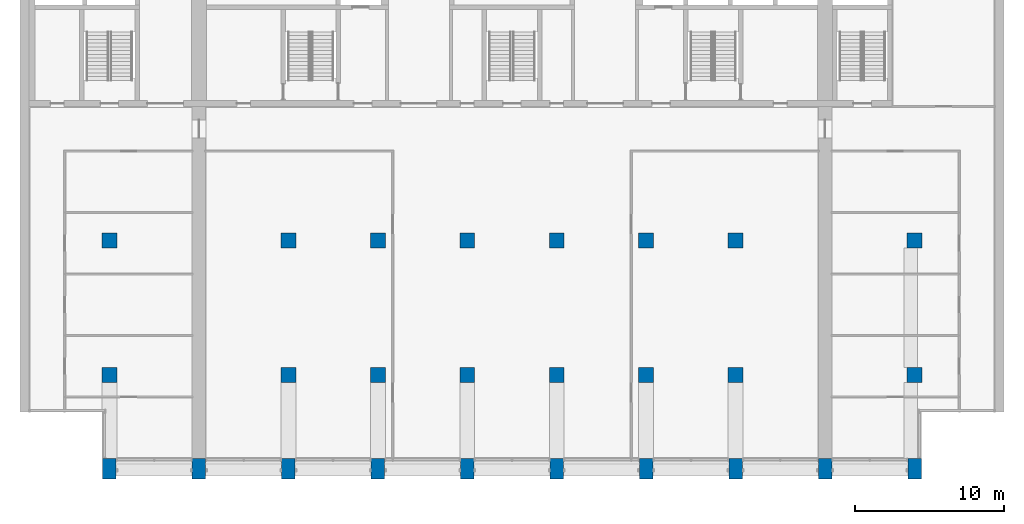
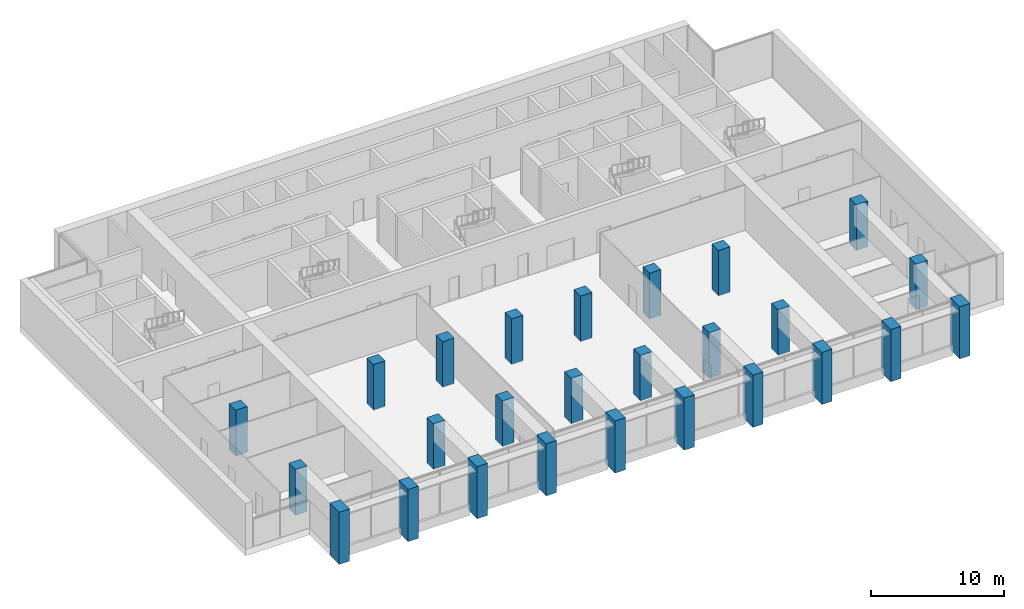
# One storey, part 1 of 13: 26 columns.
"""IFC4 building model written with IfcOpenShell, lengths in metres."""

from ifc_helpers import new_model, si_unit, direction, frame, origin, origin_2d, place, context, subcontext, project, spatial, rectangle, extrude, material, material_profile, profile_set, type_object, element, save


model = new_model("IFC4")

# Units and contexts
model_context = context("Model", 3, precision=1e-05, world=origin(), true_north=direction((0.0, 1.0)))
body_context = subcontext(model_context, "Body", "Model", "MODEL_VIEW")
ifc_project = project(units=[si_unit("LENGTHUNIT", "METRE"), si_unit("AREAUNIT", "SQUARE_METRE"), si_unit("VOLUMEUNIT", "CUBIC_METRE"), si_unit("PLANEANGLEUNIT", "RADIAN"), si_unit("MASSUNIT", "GRAM", prefix="KILO")], contexts=[model_context])

# Site, building, storey
site_placement = place(None, origin())
site = spatial("IfcSite", under=ifc_project, at=site_placement, CompositionType="ELEMENT")
building_placement = place(site_placement, origin())
building = spatial("IfcBuilding", under=site, at=building_placement, Name="Calvaro Tower", CompositionType="ELEMENT")
storey_placement = place(building_placement, frame((0.0, 0.0, 226.75)))
storey = spatial("IfcBuildingStorey", under=building, at=storey_placement, Name="L57", CompositionType="ELEMENT", Elevation=226.75)

# Columns
ifc_material_1 = material(Name="Concrete C50/60", Category="concrete")
ifc_material_profile_1 = material_profile(ifc_material_1, rectangle(XDim=1.0, YDim=1.0, at=origin_2d()), Name="RC 1000x1000")
ifc_profile_set_1 = profile_set([ifc_material_profile_1], Name="Concrete C50/60")
column_type_1 = type_object("IfcColumnType", Name="Column 1000x1000 C50/60", PredefinedType="COLUMN", material=ifc_profile_set_1)
for number, where, z_axis, x_axis, name in (
    (1, (12.0, 10.0, 0.0), (0.0, 0.0, 1.0), (1.0, 0.0, 0.0), "Column 3B"),
    (2, (12.0, 19.0, 0.0), (0.0, 0.0, 1.0), (1.0, 0.0, 0.0), "Column 3C"),
    (3, (24.0, 10.0, 0.0), (0.0, 0.0, 1.0), (1.0, 0.0, 0.0), "Column 5B"),
    (4, (24.0, 19.0, 0.0), (0.0, 0.0, 1.0), (1.0, 0.0, 0.0), "Column 5C"),
    (5, (30.0, 10.0, 0.0), (0.0, 0.0, 1.0), (1.0, 0.0, 0.0), "Column 6B"),
    (6, (30.0, 19.0, 0.0), (0.0, 0.0, 1.0), (1.0, 0.0, 0.0), "Column 6C"),
    (7, (36.0, 10.0, 0.0), (0.0, 0.0, 1.0), (1.0, 0.0, 0.0), "Column 7B"),
    (8, (36.0, 19.0, 0.0), (0.0, 0.0, 1.0), (1.0, 0.0, 0.0), "Column 7C"),
    (9, (42.0, 10.0, 0.0), (0.0, 0.0, 1.0), (1.0, 0.0, 0.0), "Column 8B"),
    (10, (42.0, 19.0, 0.0), (0.0, 0.0, 1.0), (1.0, 0.0, 0.0), "Column 8C"),
    (11, (48.0, 10.0, 0.0), (0.0, 0.0, 1.0), (1.0, 0.0, 0.0), "Column 9B"),
    (12, (48.0, 19.0, 0.0), (0.0, 0.0, 1.0), (1.0, 0.0, 0.0), "Column 9C"),
    (13, (54.0, 10.0, 0.0), (0.0, 0.0, 1.0), (1.0, 0.0, 0.0), "Column 10B"),
    (14, (54.0, 19.0, 0.0), (0.0, 0.0, 1.0), (1.0, 0.0, 0.0), "Column 10C"),
    (15, (66.0, 10.0, 0.0), (0.0, 0.0, 1.0), (1.0, 0.0, 0.0), "Column 12B"),
    (16, (66.0, 19.0, 0.0), (0.0, 0.0, 1.0), (1.0, 0.0, 0.0), "Column 12C"),
):
    element("IfcColumn", number, at=place(storey_placement, frame(where, z_axis=z_axis, x_axis=x_axis)), inside=storey, type_object=column_type_1, Name=name, PredefinedType="COLUMN", context=body_context, shape_type="SweptSolid", body=[
        extrude(rectangle(XDim=1.0, YDim=1.0, at=origin_2d()), origin(), (0.0, 0.0, 1.0), 4.199951171875),
    ])
ifc_material_2 = material(Name="Concrete C50/60", Category="concrete")
ifc_material_profile_2 = material_profile(ifc_material_2, rectangle(XDim=0.89990234375, YDim=1.39990234375, at=origin_2d()), Name="RC 900x1400")
ifc_profile_set_2 = profile_set([ifc_material_profile_2], Name="Concrete C50/60")
column_type_2 = type_object("IfcColumnType", Name="Pier 900x1400 C50/60", PredefinedType="COLUMN", material=ifc_profile_set_2)
for number, where, z_axis, x_axis, name in (
    (17, (12.0, 3.699951171875, -0.60009765625), (0.0, 0.0, 1.0), (1.0, 0.0, 0.0), "South pier 3"),
    (18, (18.0, 3.699951171875, -0.60009765625), (0.0, 0.0, 1.0), (1.0, 0.0, 0.0), "South pier 4"),
    (19, (24.0, 3.699951171875, -0.60009765625), (0.0, 0.0, 1.0), (1.0, 0.0, 0.0), "South pier 5"),
    (20, (30.0, 3.699951171875, -0.60009765625), (0.0, 0.0, 1.0), (1.0, 0.0, 0.0), "South pier 6"),
    (21, (36.0, 3.699951171875, -0.60009765625), (0.0, 0.0, 1.0), (1.0, 0.0, 0.0), "South pier 7"),
    (22, (42.0, 3.699951171875, -0.60009765625), (0.0, 0.0, 1.0), (1.0, 0.0, 0.0), "South pier 8"),
    (23, (48.0, 3.699951171875, -0.60009765625), (0.0, 0.0, 1.0), (1.0, 0.0, 0.0), "South pier 9"),
    (24, (54.0, 3.699951171875, -0.60009765625), (0.0, 0.0, 1.0), (1.0, 0.0, 0.0), "South pier 10"),
    (25, (60.0, 3.699951171875, -0.60009765625), (0.0, 0.0, 1.0), (1.0, 0.0, 0.0), "South pier 11"),
    (26, (66.0, 3.699951171875, -0.60009765625), (0.0, 0.0, 1.0), (1.0, 0.0, 0.0), "South pier 12"),
):
    element("IfcColumn", number, at=place(storey_placement, frame(where, z_axis=z_axis, x_axis=x_axis)), inside=storey, type_object=column_type_2, Name=name, PredefinedType="COLUMN", context=body_context, shape_type="SweptSolid", body=[
        extrude(rectangle(XDim=0.89990234375, YDim=1.39990234375, at=origin_2d()), origin(), (0.0, 0.0, 1.0), 4.800048828125),
    ])

save(model, "model.ifc")
